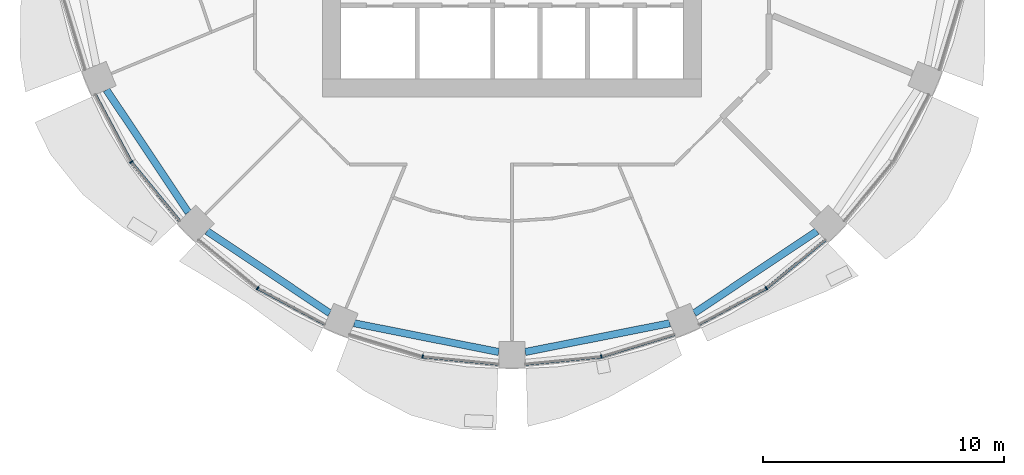
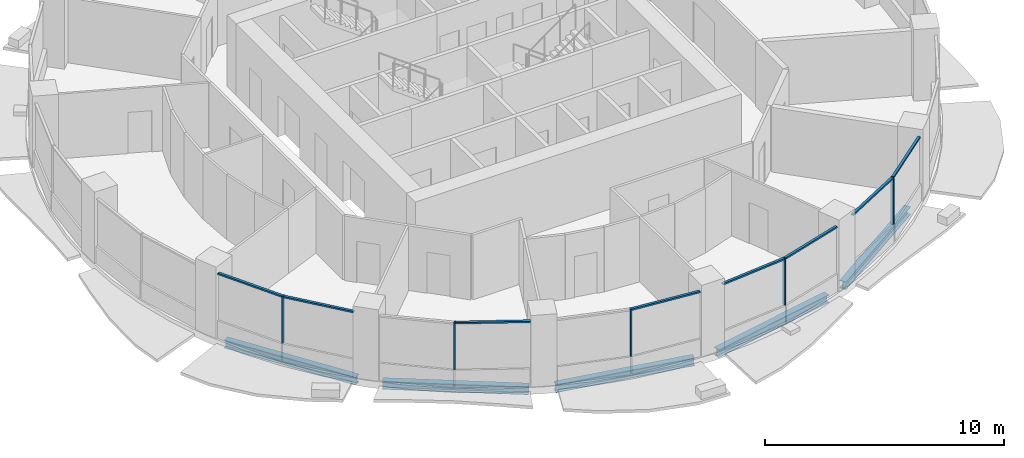
# One storey, part 2 of 14: 13 members, 5 beams, 5 elements without a shape of their own.
"""IFC4 building model written with IfcOpenShell, lengths in metres."""

from ifc_helpers import new_model, si_unit, direction, frame, origin, origin_2d, place, context, subcontext, project, spatial, rectangle, i_section, extrude, material, material_profile, profile_set, type_object, element, aggregate, save


model = new_model("IFC4")

# Units and contexts
model_context = context("Model", 3, precision=1e-05, world=origin(), true_north=direction((0.0, 1.0)))
body_context = subcontext(model_context, "Body", "Model", "MODEL_VIEW")
ifc_project = project(units=[si_unit("LENGTHUNIT", "METRE"), si_unit("AREAUNIT", "SQUARE_METRE"), si_unit("VOLUMEUNIT", "CUBIC_METRE"), si_unit("PLANEANGLEUNIT", "RADIAN"), si_unit("MASSUNIT", "GRAM", prefix="KILO")], contexts=[model_context])

# Site, building, storey
site_placement = place(None, origin())
site = spatial("IfcSite", under=ifc_project, at=site_placement, CompositionType="ELEMENT")
building_placement = place(site_placement, origin())
building = spatial("IfcBuilding", under=site, at=building_placement, Name="Polderwave Tower", CompositionType="ELEMENT")
storey_placement = place(building_placement, frame((0.0, 0.0, 109.25)))
storey = spatial("IfcBuildingStorey", under=building, at=storey_placement, Name="L28", CompositionType="ELEMENT", Elevation=109.25)

# Curtain wall, member
ifc_material_1 = material(Name="Aluminium 6063-T6 and glass", Category="aluminium")
curtain_wall_type = type_object("IfcCurtainWallType", Name="Growing floor ribbon glazing wall", PredefinedType="NOTDEFINED", material=ifc_material_1)
curtain_wall_1_placement = place(storey_placement, origin())
curtain_wall_1 = element("IfcCurtainWall", 1, at=curtain_wall_1_placement, inside=storey, type_object=curtain_wall_type, Name="CW2 L28 09", PredefinedType="NOTDEFINED")
ifc_material_2 = material(Name="Aluminium 6063-T6", Category="aluminium")
ifc_material_profile_1 = material_profile(ifc_material_2, rectangle(XDim=0.14990234375, YDim=0.06005859375, at=origin_2d()), Name="AL 60x150")
ifc_profile_set_1 = profile_set([ifc_material_profile_1], Name="Aluminium 6063-T6")
member_type_1 = type_object("IfcMemberType", Name="Growing floor ribbon glazing mullion 60x150", PredefinedType="MULLION", material=ifc_profile_set_1)
member_1_placement = place(storey_placement, frame((-15.822998046875, -10.572998046875, 0.89990234375), z_axis=(0.0, 0.0, 1.0), x_axis=(0.831459915646, 0.555584744817, 0.0)))
member_1 = element("IfcMember", 2, at=member_1_placement, type_object=member_type_1, Name="CW2 mullion 1", PredefinedType="MULLION", context=body_context, shape_type="SweptSolid", body=[
    extrude(rectangle(XDim=0.14990234375, YDim=0.06005859375, at=origin_2d()), origin(), (0.0, 0.0, 1.0), 2.400146484375),
])

curtain_wall_2_placement = place(storey_placement, origin())
curtain_wall_2 = element("IfcCurtainWall", 3, at=curtain_wall_2_placement, inside=storey, type_object=curtain_wall_type, Name="CW2 L28 10", PredefinedType="NOTDEFINED")
member_2_placement = place(storey_placement, frame((-10.572998046875, -15.822998046875, 0.89990234375), z_axis=(0.0, 0.0, 1.0), x_axis=(0.555584744817, 0.831459915646, 0.0)))
member_2 = element("IfcMember", 4, at=member_2_placement, type_object=member_type_1, Name="CW2 mullion 1", PredefinedType="MULLION", context=body_context, shape_type="SweptSolid", body=[
    extrude(rectangle(XDim=0.14990234375, YDim=0.06005859375, at=origin_2d()), origin(), (0.0, 0.0, 1.0), 2.400146484375),
])

curtain_wall_3_placement = place(storey_placement, origin())
curtain_wall_3 = element("IfcCurtainWall", 5, at=curtain_wall_3_placement, inside=storey, type_object=curtain_wall_type, Name="CW2 L28 11", PredefinedType="NOTDEFINED")
member_3_placement = place(storey_placement, frame((-3.712890625, -18.6640625, 0.89990234375), z_axis=(0.0, 0.0, 1.0), x_axis=(0.195092033809, 0.980784939905, 0.0)))
member_3 = element("IfcMember", 6, at=member_3_placement, type_object=member_type_1, Name="CW2 mullion 1", PredefinedType="MULLION", context=body_context, shape_type="SweptSolid", body=[
    extrude(rectangle(XDim=0.14990234375, YDim=0.06005859375, at=origin_2d()), origin(), (0.0, 0.0, 1.0), 2.400146484375),
])

curtain_wall_4_placement = place(storey_placement, origin())
curtain_wall_4 = element("IfcCurtainWall", 7, at=curtain_wall_4_placement, inside=storey, type_object=curtain_wall_type, Name="CW2 L28 12", PredefinedType="NOTDEFINED")
member_4_placement = place(storey_placement, frame((3.712890625, -18.6640625, 0.89990234375), z_axis=(0.0, 0.0, 1.0), x_axis=(-0.195092033809, 0.980784939905, 0.0)))
member_4 = element("IfcMember", 8, at=member_4_placement, type_object=member_type_1, Name="CW2 mullion 1", PredefinedType="MULLION", context=body_context, shape_type="SweptSolid", body=[
    extrude(rectangle(XDim=0.14990234375, YDim=0.06005859375, at=origin_2d()), origin(), (0.0, 0.0, 1.0), 2.400146484375),
])

curtain_wall_5_placement = place(storey_placement, origin())
curtain_wall_5 = element("IfcCurtainWall", 9, at=curtain_wall_5_placement, inside=storey, type_object=curtain_wall_type, Name="CW2 L28 13", PredefinedType="NOTDEFINED")
member_5_placement = place(storey_placement, frame((10.572998046875, -15.822998046875, 0.89990234375), z_axis=(0.0, 0.0, 1.0), x_axis=(-0.555584744817, 0.831459915646, 0.0)))
member_5 = element("IfcMember", 10, at=member_5_placement, type_object=member_type_1, Name="CW2 mullion 1", PredefinedType="MULLION", context=body_context, shape_type="SweptSolid", body=[
    extrude(rectangle(XDim=0.14990234375, YDim=0.06005859375, at=origin_2d()), origin(), (0.0, 0.0, 1.0), 2.400146484375),
])

# Member
ifc_material_profile_2 = material_profile(ifc_material_2, rectangle(XDim=0.1201171875, YDim=0.080078125, at=origin_2d()), Name="AL 80x120")
ifc_profile_set_2 = profile_set([ifc_material_profile_2], Name="Aluminium 6063-T6")
member_type_2 = type_object("IfcMemberType", Name="Growing floor ribbon glazing transom 80x120", PredefinedType="USERDEFINED", material=ifc_profile_set_2)
member_6_placement = place(storey_placement, frame((-17.321044921875, -7.77001953125, 3.260009765625), z_axis=(0.471368950997, -0.88193611562, 0.0), x_axis=(0.88193611562, 0.471368950997, 0.0)))
member_6 = element("IfcMember", 11, at=member_6_placement, type_object=member_type_2, Name="CW2 transom 1", ObjectType="TRANSOM", PredefinedType="USERDEFINED", context=body_context, shape_type="SweptSolid", body=[
    extrude(rectangle(XDim=0.1201171875, YDim=0.080078125, at=origin_2d()), origin(), (0.0, 0.0, 1.0), 3.14794921875),
])

member_7_placement = place(storey_placement, frame((-15.803955078125, -10.59619140625, 3.260009765625), z_axis=(0.634483003965, -0.77293681351, 0.0), x_axis=(0.77293681351, 0.634483003965, 0.0)))
member_7 = element("IfcMember", 12, at=member_7_placement, type_object=member_type_2, Name="CW2 transom 2", ObjectType="TRANSOM", PredefinedType="USERDEFINED", context=body_context, shape_type="SweptSolid", body=[
    extrude(rectangle(XDim=0.1201171875, YDim=0.080078125, at=origin_2d()), origin(), (0.0, 0.0, 1.0), 3.1474609375),
])

aggregate(curtain_wall_1, [member_1, member_6, member_7])

member_8_placement = place(storey_placement, frame((-10.54638671875, -15.837158203125, 3.260009765625), z_axis=(0.88193611562, -0.471368950997, 0.0), x_axis=(0.471368950997, 0.88193611562, 0.0)))
member_8 = element("IfcMember", 13, at=member_8_placement, type_object=member_type_2, Name="CW2 transom 2", ObjectType="TRANSOM", PredefinedType="USERDEFINED", context=body_context, shape_type="SweptSolid", body=[
    extrude(rectangle(XDim=0.1201171875, YDim=0.080078125, at=origin_2d()), origin(), (0.0, 0.0, 1.0), 3.14794921875),
])

aggregate(curtain_wall_2, [member_2, member_8])

member_9_placement = place(storey_placement, frame((-3.68310546875, -18.6669921875, 3.260009765625), z_axis=(0.995169132792, -0.098175338745, 0.0), x_axis=(0.098175338745, 0.995169132792, 0.0)))
member_9 = element("IfcMember", 14, at=member_9_placement, type_object=member_type_2, Name="CW2 transom 2", ObjectType="TRANSOM", PredefinedType="USERDEFINED", context=body_context, shape_type="SweptSolid", body=[
    extrude(rectangle(XDim=0.1201171875, YDim=0.080078125, at=origin_2d()), origin(), (0.0, 0.0, 1.0), 3.148193359375),
])

aggregate(curtain_wall_3, [member_3, member_9])

member_10_placement = place(storey_placement, frame((0.550048828125, -18.97607421875, 3.260009765625), z_axis=(0.995169132792, 0.098175338745, 0.0), x_axis=(-0.098175338745, 0.995169132792, 0.0)))
member_10 = element("IfcMember", 15, at=member_10_placement, type_object=member_type_2, Name="CW2 transom 1", ObjectType="TRANSOM", PredefinedType="USERDEFINED", context=body_context, shape_type="SweptSolid", body=[
    extrude(rectangle(XDim=0.1201171875, YDim=0.080078125, at=origin_2d()), origin(), (0.0, 0.0, 1.0), 3.148193359375),
])

member_11_placement = place(storey_placement, frame((3.74169921875, -18.6552734375, 3.260009765625), z_axis=(0.956976770627, 0.290164540356, 0.0), x_axis=(-0.290164540356, 0.956976770627, 0.0)))
member_11 = element("IfcMember", 16, at=member_11_placement, type_object=member_type_2, Name="CW2 transom 2", ObjectType="TRANSOM", PredefinedType="USERDEFINED", context=body_context, shape_type="SweptSolid", body=[
    extrude(rectangle(XDim=0.1201171875, YDim=0.080078125, at=origin_2d()), origin(), (0.0, 0.0, 1.0), 3.147705078125),
])

aggregate(curtain_wall_4, [member_4, member_10, member_11])

member_12_placement = place(storey_placement, frame((7.77001953125, -17.321044921875, 3.260009765625), z_axis=(0.88193611562, 0.471368950997, 0.0), x_axis=(-0.471368950997, 0.88193611562, 0.0)))
member_12 = element("IfcMember", 17, at=member_12_placement, type_object=member_type_2, Name="CW2 transom 1", ObjectType="TRANSOM", PredefinedType="USERDEFINED", context=body_context, shape_type="SweptSolid", body=[
    extrude(rectangle(XDim=0.1201171875, YDim=0.080078125, at=origin_2d()), origin(), (0.0, 0.0, 1.0), 3.14794921875),
])

member_13_placement = place(storey_placement, frame((10.59619140625, -15.803955078125, 3.260009765625), z_axis=(0.77293681351, 0.634483003965, 0.0), x_axis=(-0.634483003965, 0.77293681351, 0.0)))
member_13 = element("IfcMember", 18, at=member_13_placement, type_object=member_type_2, Name="CW2 transom 2", ObjectType="TRANSOM", PredefinedType="USERDEFINED", context=body_context, shape_type="SweptSolid", body=[
    extrude(rectangle(XDim=0.1201171875, YDim=0.080078125, at=origin_2d()), origin(), (0.0, 0.0, 1.0), 3.1474609375),
])

aggregate(curtain_wall_5, [member_5, member_12, member_13])

# Beams
ifc_material_3 = material(Name="Steel S355", Category="steel")
ifc_material_profile_3 = material_profile(ifc_material_3, i_section(OverallWidth=0.300048828125, OverallDepth=0.39990234375, WebThickness=0.013427734375, FlangeThickness=0.02392578125, at=origin_2d()), Name="HE 400 B")
ifc_profile_set_3 = profile_set([ifc_material_profile_3], Name="Steel S355")
beam_type = type_object("IfcBeamType", Name="RING BEAM HE 400 B", PredefinedType="BEAM", material=ifc_profile_set_3)
for number, where, z_axis, x_axis, name in (
    (19, (-16.854248046875, -7.576416015625, -0.550048828125), (0.555554909675, -0.83147985083, 0.0), (0.83147985083, 0.555554909675, 0.0), "ST-RB-L28-09"),
    (20, (-12.671875, -13.44970703125, -0.550048828125), (0.83147985083, -0.555554909675, 0.0), (0.555554909675, 0.83147985083, 0.0), "ST-RB-L28-10"),
):
    element("IfcBeam", number, at=place(storey_placement, frame(where, z_axis=z_axis, x_axis=x_axis)), inside=storey, type_object=beam_type, Name=name, PredefinedType="BEAM", context=body_context, shape_type="SweptSolid", body=[
        extrude(i_section(OverallWidth=0.300048828125, OverallDepth=0.39990234375, WebThickness=0.013427734375, FlangeThickness=0.02392578125, at=origin_2d()), origin(), (0.0, 0.0, 1.0), 6.128173828125),
    ])
for number, where, z_axis, x_axis, name in (
    (21, (-6.560302734375, -17.275146484375, -0.550048828125), (0.980783943751, -0.195097041699, 0.0), (0.195097041699, 0.980783943751, 0.0), "ST-RB-L28-11"),
    (22, (0.550048828125, -18.470703125, -0.550048828125), (0.980783943751, 0.195097041699, 0.0), (-0.195097041699, 0.980783943751, 0.0), "ST-RB-L28-12"),
):
    element("IfcBeam", number, at=place(storey_placement, frame(where, z_axis=z_axis, x_axis=x_axis)), inside=storey, type_object=beam_type, Name=name, PredefinedType="BEAM", context=body_context, shape_type="SweptSolid", body=[
        extrude(i_section(OverallWidth=0.300048828125, OverallDepth=0.39990234375, WebThickness=0.013427734375, FlangeThickness=0.02392578125, at=origin_2d()), origin(), (0.0, 0.0, 1.0), 6.1279296875),
    ])
beam_placement = place(storey_placement, frame((7.576416015625, -16.854248046875, -0.550048828125), z_axis=(0.83147985083, 0.555554909675, 0.0), x_axis=(-0.555554909675, 0.83147985083, 0.0)))
element("IfcBeam", 23, at=beam_placement, inside=storey, type_object=beam_type, Name="ST-RB-L28-13", PredefinedType="BEAM", context=body_context, shape_type="SweptSolid", body=[
    extrude(i_section(OverallWidth=0.300048828125, OverallDepth=0.39990234375, WebThickness=0.013427734375, FlangeThickness=0.02392578125, at=origin_2d()), origin(), (0.0, 0.0, 1.0), 6.128173828125),
])

save(model, "model.ifc")
